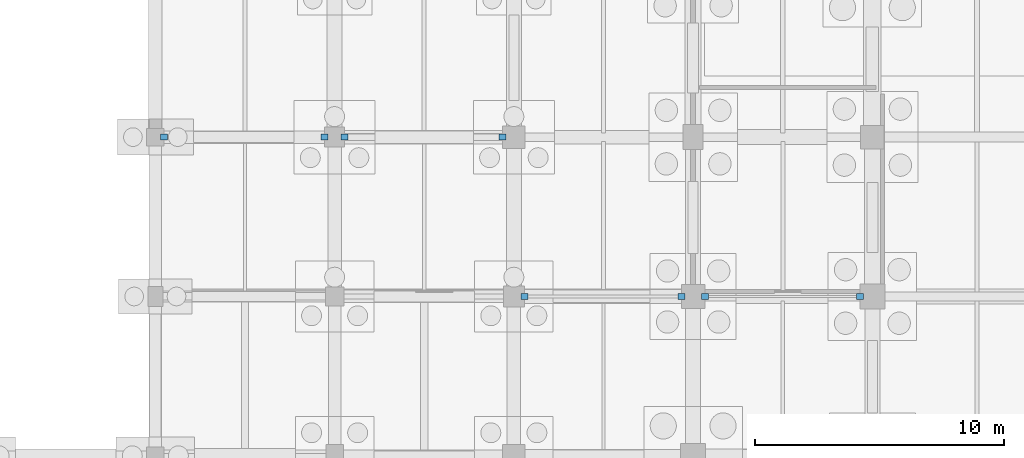
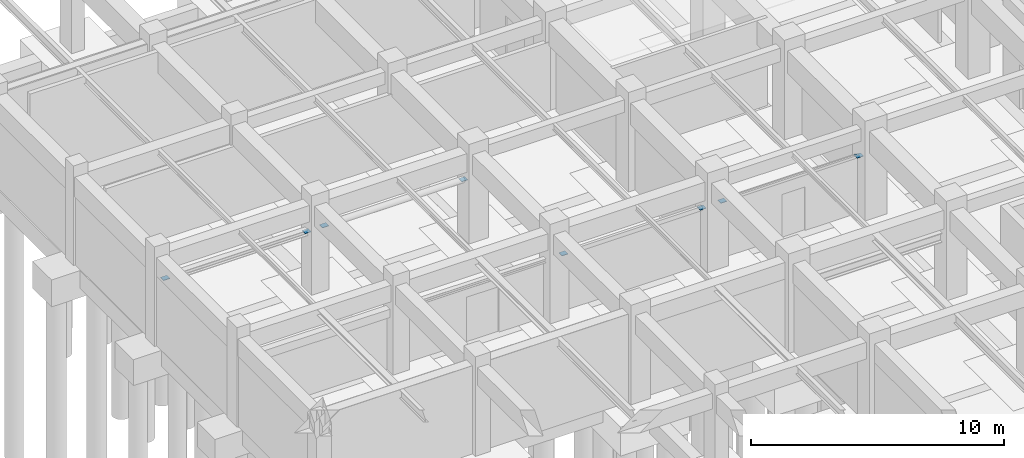
# One storey, part 37 of 44: 8 discrete accessories.
"""IFC4 building model written with IfcOpenShell, lengths in metres."""

from ifc_helpers import new_model, si_unit, direction, frame, origin, origin_2d, place, context, subcontext, project, spatial, rectangle, extrude, material, type_object, element, save


model = new_model("IFC4")

# Units and contexts
model_context = context("Model", 3, precision=1e-05, world=origin(), true_north=direction((0.0, 1.0)))
body_context = subcontext(model_context, "Body", "Model", "MODEL_VIEW")
ifc_project = project(units=[si_unit("LENGTHUNIT", "METRE"), si_unit("AREAUNIT", "SQUARE_METRE"), si_unit("VOLUMEUNIT", "CUBIC_METRE"), si_unit("PLANEANGLEUNIT", "RADIAN"), si_unit("MASSUNIT", "GRAM", prefix="KILO")], contexts=[model_context])

# Site, building, storey
site_placement = place(None, origin())
site = spatial("IfcSite", under=ifc_project, at=site_placement, CompositionType="ELEMENT")
building_placement = place(site_placement, origin())
building = spatial("IfcBuilding", under=site, at=building_placement, Name="Korsvaeld Concert Hall", CompositionType="ELEMENT")
storey_placement = place(building_placement, frame((0.0, 0.0, -4.800048828125)))
storey = spatial("IfcBuildingStorey", under=building, at=storey_placement, Name="B1", CompositionType="ELEMENT", Elevation=-4.800048828125)

# Discrete accessories
ifc_material = material(Name="Steel S355J2", Category="steel")
discrete_accessory_type = type_object("IfcDiscreteAccessoryType", Name="ACC-GUSSET-S355", PredefinedType="BRACKET", material=ifc_material)
for number, where, z_axis, x_axis, name in (
    (1, (36.425048828125, 89.60009765625, 2.837646484375), (0.0, 0.0, 1.0), (1.0, 0.0, 0.0), "Brace and strut S355J2 gusset end-plate 041"),
    (2, (42.72509765625, 89.60009765625, 2.837646484375), (0.0, 0.0, 1.0), (1.0, 0.0, 0.0), "Brace and strut S355J2 gusset end-plate 042"),
    (3, (43.675048828125, 89.60009765625, 2.837646484375), (0.0, 0.0, 1.0), (1.0, 0.0, 0.0), "Brace and strut S355J2 gusset end-plate 043"),
    (4, (49.89990234375, 89.60009765625, 2.837646484375), (0.0, 0.0, 1.0), (1.0, 0.0, 0.0), "Brace and strut S355J2 gusset end-plate 044"),
    (5, (21.949951171875, 96.0, 2.837646484375), (0.0, 0.0, 1.0), (1.0, 0.0, 0.0), "Brace and strut S355J2 gusset end-plate 053"),
    (6, (28.39990234375, 96.0, 2.837646484375), (0.0, 0.0, 1.0), (1.0, 0.0, 0.0), "Brace and strut S355J2 gusset end-plate 054"),
    (7, (29.199951171875, 96.0, 2.837646484375), (0.0, 0.0, 1.0), (1.0, 0.0, 0.0), "Brace and strut S355J2 gusset end-plate 055"),
    (8, (35.550048828125, 96.0, 2.837646484375), (0.0, 0.0, 1.0), (1.0, 0.0, 0.0), "Brace and strut S355J2 gusset end-plate 056"),
):
    element("IfcDiscreteAccessory", number, at=place(storey_placement, frame(where, z_axis=z_axis, x_axis=x_axis)), inside=storey, type_object=discrete_accessory_type, Name=name, PredefinedType="BRACKET", context=body_context, shape_type="SweptSolid", body=[
        extrude(rectangle(XDim=0.280029296875, YDim=0.25, at=origin_2d()), origin(), (0.0, 0.0, 1.0), 0.02490234375),
    ])

save(model, "model.ifc")
